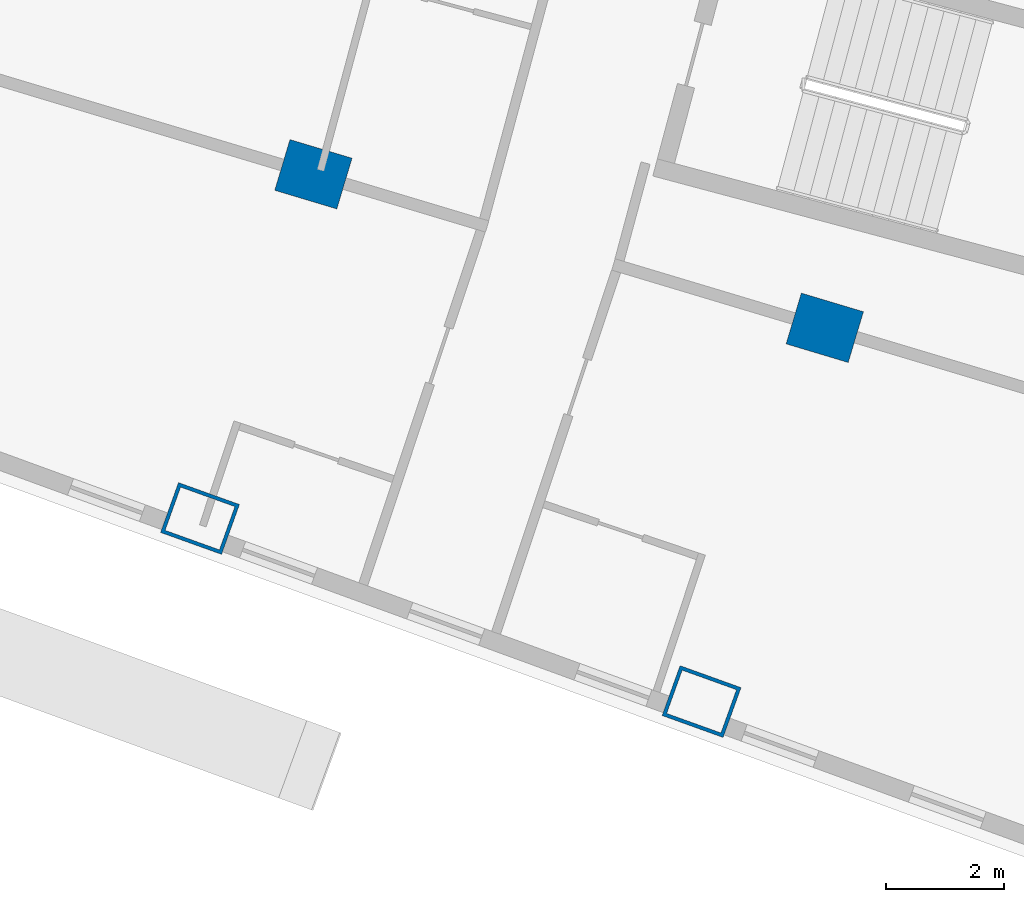
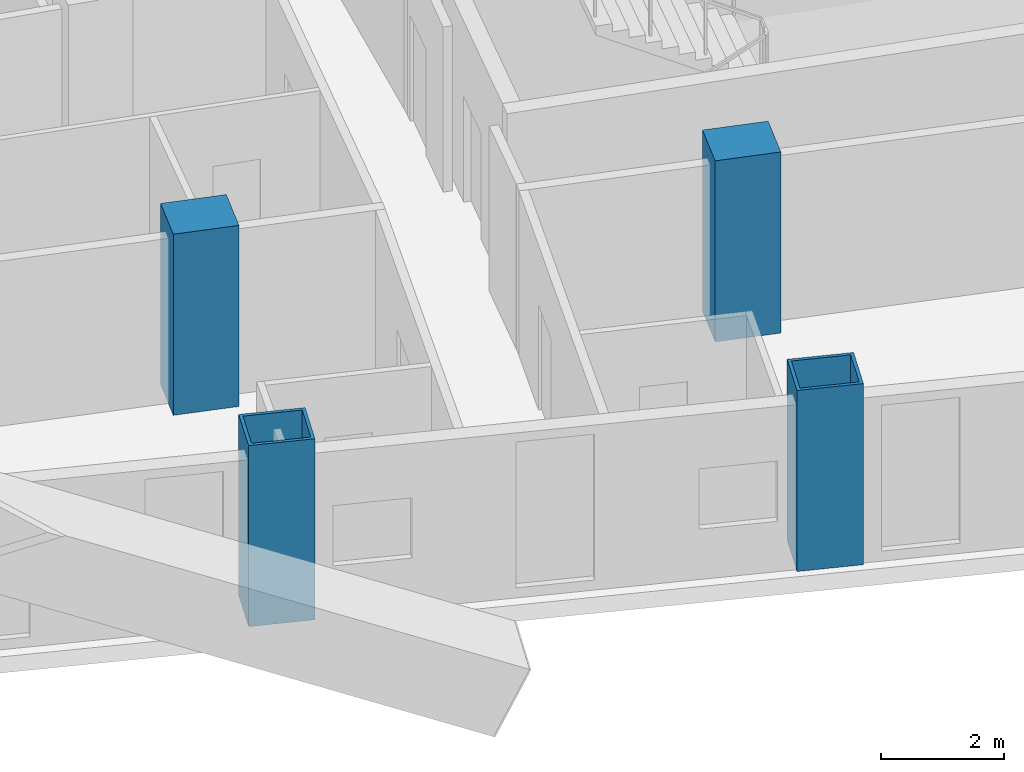
# One storey, part 2 of 25: 4 columns.
"""IFC4 building model written with IfcOpenShell, lengths in metres."""

import ifcopenshell
import ifcopenshell.guid

model = None  # the IFC model being written
_history = None  # IfcOwnerHistory: only IFC2X3 demands one
_inside = {}  # id of a spatial element -> (the spatial element, [elements in it])
_under = {}  # id of a project, library or spatial element -> (it, [spatial elements below it])
_declared = {}  # id of a project -> (the project, [libraries it declares])
_typed = {}  # id of a type object -> (the type object, [elements of that type])
_made_of = {}  # id of a material, layer set ... -> (it, [elements and type objects made of it])


def new_model(schema):
    """Start an empty IFC model of exactly this schema.

    Asked for "IFC4X3", IfcOpenShell would pick the latest addendum, in which some entities
    have other attributes; the version numbers below select the first issue.
    IFC2X3 requires an IfcOwnerHistory on every rooted entity: one is made here for all.
    """
    global model, _history
    if schema == "IFC4X3":
        model = ifcopenshell.file(schema_version=(4, 3, 0, 0))
    else:
        model = ifcopenshell.file(schema=schema)
    _inside.clear()
    _under.clear()
    _declared.clear()
    _typed.clear()
    _made_of.clear()
    _history = None
    if model.schema == "IFC2X3":
        org = make("IfcOrganization", Name="unknown")
        user = make(
            "IfcPersonAndOrganization",
            ThePerson=make("IfcPerson", FamilyName="unknown"),
            TheOrganization=org,
        )
        app = make(
            "IfcApplication",
            ApplicationDeveloper=org,
            Version="unknown",
            ApplicationFullName="unknown",
            ApplicationIdentifier="unknown",
        )
        _history = make(
            "IfcOwnerHistory",
            OwningUser=user,
            OwningApplication=app,
            ChangeAction="ADDED",
            CreationDate=0,
        )
    return model


def make(cls, **values):
    """One entity of the class cls with the attributes given. An attribute that is None is left unset."""
    return model.create_entity(
        cls, **{name: value for name, value in values.items() if value is not None}
    )


def rooted(cls, **values):
    """An entity with a GlobalId (a new one), such as an element, a storey or a relation."""
    return make(cls, GlobalId=ifcopenshell.guid.new(), OwnerHistory=_history, **values)


def si_unit(unit_type, name, prefix=None):
    """IfcSIUnit, for example si_unit("LENGTHUNIT", "METRE", prefix="MILLI")."""
    return make("IfcSIUnit", UnitType=unit_type, Prefix=prefix, Name=name)


def assignment(units):
    """IfcUnitAssignment: the units of a project."""
    return None if units is None else make("IfcUnitAssignment", Units=units)


def point(xyz):
    """IfcCartesianPoint."""
    return None if xyz is None else make("IfcCartesianPoint", Coordinates=xyz)


def direction(xyz):
    """IfcDirection."""
    return None if xyz is None else make("IfcDirection", DirectionRatios=xyz)


def frame(location, z_axis=None, x_axis=None):
    """IfcAxis2Placement3D, a coordinate frame: its origin and axes. An axis left out is left unset."""
    return make(
        "IfcAxis2Placement3D",
        Location=point(location),
        Axis=direction(z_axis),
        RefDirection=direction(x_axis),
    )


def frame_2d(location, x_axis=None):
    """IfcAxis2Placement2D, a coordinate frame in the plane: its origin and x axis."""
    return make(
        "IfcAxis2Placement2D", Location=point(location), RefDirection=direction(x_axis)
    )


def origin():
    """The frame at (0, 0, 0) with its axes left unset."""
    return frame((0.0, 0.0, 0.0))


def origin_2d():
    """The frame at (0, 0) in the plane with its x axis left unset."""
    return frame_2d((0.0, 0.0))


def place(relative_to, where):
    """IfcLocalPlacement: puts the frame where relative to a parent placement (None: the world)."""
    return make(
        "IfcLocalPlacement", PlacementRelTo=relative_to, RelativePlacement=where
    )


def context(
    kind, dimensions, precision=None, world=None, true_north=None, identifier=None
):
    """IfcGeometricRepresentationContext, for example the 3D "Model" context."""
    return make(
        "IfcGeometricRepresentationContext",
        ContextIdentifier=identifier,
        ContextType=kind,
        CoordinateSpaceDimension=dimensions,
        Precision=precision,
        WorldCoordinateSystem=world,
        TrueNorth=true_north,
    )


def subcontext(parent, identifier, kind, view, scale=None):
    """IfcGeometricRepresentationSubContext, for example "Body" below "Model"."""
    return make(
        "IfcGeometricRepresentationSubContext",
        ContextIdentifier=identifier,
        ContextType=kind,
        ParentContext=parent,
        TargetScale=scale,
        TargetView=view,
    )


def project(units=None, contexts=None):
    """IfcProject with its units and contexts."""
    return rooted(
        "IfcProject",
        Name="project",
        RepresentationContexts=contexts,
        UnitsInContext=assignment(units),
    )


def spatial(cls, under=None, at=None, **own):
    """A site, building, storey or space (cls), placed at a placement, below another one or the project."""
    s = rooted(cls, ObjectPlacement=at, **own)
    if under is not None:
        _under.setdefault(under.id(), (under, []))[1].append(s)
    return s


def profile(cls, at=None, kind="AREA", **sizes):
    """A parametric profile (cls). Its sizes go by their IFC names, for example OverallWidth=200.0."""
    return make(cls, ProfileType=kind, Position=at, **sizes)


def rectangle(**sizes):
    """IfcRectangleProfileDef."""
    return profile("IfcRectangleProfileDef", **sizes)


def hollow_rectangle(**sizes):
    """IfcRectangleHollowProfileDef."""
    return profile("IfcRectangleHollowProfileDef", **sizes)


def extrude(swept, where, along, depth):
    """IfcExtrudedAreaSolid: the profile swept, set in the frame where, extruded along a direction by depth."""
    return make(
        "IfcExtrudedAreaSolid",
        SweptArea=swept,
        Position=where,
        ExtrudedDirection=direction(along),
        Depth=depth,
    )


def shape(context_of_items, identifier, shape_type, items):
    """IfcShapeRepresentation: the items that make up one representation, for example the "Body"."""
    return make(
        "IfcShapeRepresentation",
        ContextOfItems=context_of_items,
        RepresentationIdentifier=identifier,
        RepresentationType=shape_type,
        Items=items,
    )


def material(Name=None, Category=None):
    """IfcMaterial."""
    return make("IfcMaterial", Name=Name, Category=Category)


def material_profile(
    of_material, cross_section, Name=None, Category=None, Priority=None
):
    """IfcMaterialProfile: a cross section and its material."""
    return make(
        "IfcMaterialProfile",
        Name=Name,
        Material=of_material,
        Profile=cross_section,
        Priority=Priority,
        Category=Category,
    )


def profile_set(profiles, Name=None, composite=None):
    """IfcMaterialProfileSet."""
    return make(
        "IfcMaterialProfileSet",
        Name=Name,
        MaterialProfiles=profiles,
        CompositeProfile=composite,
    )


def made_of(thing, what):
    """Note that an element or type object is made of a material, layer set ...; save() writes the relation."""
    if what is not None:
        _made_of.setdefault(what.id(), (what, []))[1].append(thing)
    return thing


def type_object(cls, material=None, **own):
    """A type object (cls), such as IfcWallType, which elements share."""
    return made_of(rooted(cls, **own), material)


def element(
    cls,
    number,
    at=None,
    inside=None,
    cuts=None,
    type_object=None,
    material=None,
    context=None,
    identifier="Body",
    shape_type=None,
    held_by="IfcProductDefinitionShape",
    body=None,
    shapes=None,
    **own,
):
    """One element of the class cls, such as IfcWall. Its Tag is "e" and its number.

    at: its placement. inside: the storey or other place that contains it. cuts: it is an
    opening in that element (IfcRelVoidsElement). A single representation is given by context,
    identifier, shape_type and body (its items); several are given by shapes. held_by: the class
    of the entity that holds the representations. save() writes the other relations.
    """
    e = rooted(cls, Tag="e%d" % number, ObjectPlacement=at, **own)
    if body is not None:
        shapes = [shape(context, identifier, shape_type, body)]
    if shapes is not None:
        e.Representation = make(held_by, Representations=shapes)
    if inside is not None:
        _inside.setdefault(inside.id(), (inside, []))[1].append(e)
    if cuts is not None:
        rooted(
            "IfcRelVoidsElement", RelatingBuildingElement=cuts, RelatedOpeningElement=e
        )
    if type_object is not None:
        _typed.setdefault(type_object.id(), (type_object, []))[1].append(e)
    return made_of(e, material)


def aggregate(whole, parts):
    """IfcRelAggregates: a whole, such as a stair, and the parts it consists of."""
    return rooted("IfcRelAggregates", RelatingObject=whole, RelatedObjects=parts)


def save(model, path):
    """Write the relations noted so far, then the file.

    IfcRelAggregates (storeys below a building ...), IfcRelContainedInSpatialStructure (elements
    in a storey), IfcRelDefinesByType, IfcRelAssociatesMaterial and IfcRelDeclares: one each for
    every whole, place, type object, material and project.
    """
    for whole, parts in _under.values():
        aggregate(whole, parts)
    for where, things in _inside.values():
        rooted(
            "IfcRelContainedInSpatialStructure",
            RelatedElements=things,
            RelatingStructure=where,
        )
    for kind, things in _typed.values():
        rooted("IfcRelDefinesByType", RelatedObjects=things, RelatingType=kind)
    for what, things in _made_of.values():
        rooted("IfcRelAssociatesMaterial", RelatedObjects=things, RelatingMaterial=what)
    for by, libraries in _declared.values():
        rooted("IfcRelDeclares", RelatingContext=by, RelatedDefinitions=libraries)
    model.write(path)


model = new_model("IFC4")

# Units and contexts
model_context = context("Model", 3, precision=1e-05, world=origin(), true_north=direction((0.0, 1.0)))
body_context = subcontext(model_context, "Body", "Model", "MODEL_VIEW")
ifc_project = project(units=[si_unit("LENGTHUNIT", "METRE"), si_unit("AREAUNIT", "SQUARE_METRE"), si_unit("VOLUMEUNIT", "CUBIC_METRE"), si_unit("PLANEANGLEUNIT", "RADIAN"), si_unit("MASSUNIT", "GRAM", prefix="KILO")], contexts=[model_context])

# Site, building, storey
site_placement = place(None, origin())
site = spatial("IfcSite", under=ifc_project, at=site_placement, CompositionType="ELEMENT")
building_placement = place(site_placement, origin())
building = spatial("IfcBuilding", under=site, at=building_placement, Name="Alderwake Tower", CompositionType="ELEMENT")
storey_placement = place(building_placement, frame((0.0, 0.0, 42.800048828125)))
storey = spatial("IfcBuildingStorey", under=building, at=storey_placement, Name="L09", CompositionType="ELEMENT", Elevation=42.800048828125)

# Columns
ifc_material_1 = material(Name="Steel ASTM A572 Grade 50 concrete filled C70/85", Category="concrete")
ifc_material_profile_1 = material_profile(ifc_material_1, hollow_rectangle(XDim=0.89990234375, YDim=1.10009765625, WallThickness=0.06005859375, at=origin_2d()), Name="BOX 1100X900X60")
ifc_profile_set_1 = profile_set([ifc_material_profile_1], Name="Steel ASTM A572 Grade 50 concrete filled C70/85")
column_type_1 = type_object("IfcColumnType", Name="End column Z1", PredefinedType="COLUMN", material=ifc_profile_set_1)
for number, where, z_axis, x_axis, name in (
    (1, (28.983642578125, 21.856689453125, 0.0), (0.0, 0.0, 1.0), (0.338026774049, 0.941136493834, 0.0), "Column R01-C2"),
    (2, (37.500732421875, 18.74755859375, 0.0), (0.0, 0.0, 1.0), (0.338379907748, 0.941009584453, 0.0), "Column R01-C3"),
):
    element("IfcColumn", number, at=place(storey_placement, frame(where, z_axis=z_axis, x_axis=x_axis)), inside=storey, type_object=column_type_1, Name=name, PredefinedType="COLUMN", context=body_context, shape_type="SweptSolid", body=[
        extrude(hollow_rectangle(XDim=0.89990234375, YDim=1.10009765625, WallThickness=0.06005859375, at=origin_2d()), origin(), (0.0, 0.0, 1.0), 3.599853515625),
    ])
ifc_material_2 = material(Name="Concrete C70/85", Category="concrete")
ifc_material_profile_2 = material_profile(ifc_material_2, rectangle(XDim=0.89990234375, YDim=1.10009765625, at=origin_2d()), Name="RC 1100X900")
ifc_profile_set_2 = profile_set([ifc_material_profile_2], Name="Concrete C70/85")
column_type_2 = type_object("IfcColumnType", Name="Interior column Z1", PredefinedType="COLUMN", material=ifc_profile_set_2)
for number, where, z_axis, x_axis, name in (
    (3, (30.9091796875, 27.701904296875, 0.0), (0.0, 0.0, 1.0), (0.287549418125, 0.957765802342, 0.0), "Column R02-C2"),
    (4, (39.593017578125, 25.0947265625, 0.0), (0.0, 0.0, 1.0), (0.287549418125, 0.957765802342, 0.0), "Column R02-C3"),
):
    element("IfcColumn", number, at=place(storey_placement, frame(where, z_axis=z_axis, x_axis=x_axis)), inside=storey, type_object=column_type_2, Name=name, PredefinedType="COLUMN", context=body_context, shape_type="SweptSolid", body=[
        extrude(rectangle(XDim=0.89990234375, YDim=1.10009765625, at=origin_2d()), origin(), (0.0, 0.0, 1.0), 3.599853515625),
    ])

save(model, "model.ifc")
